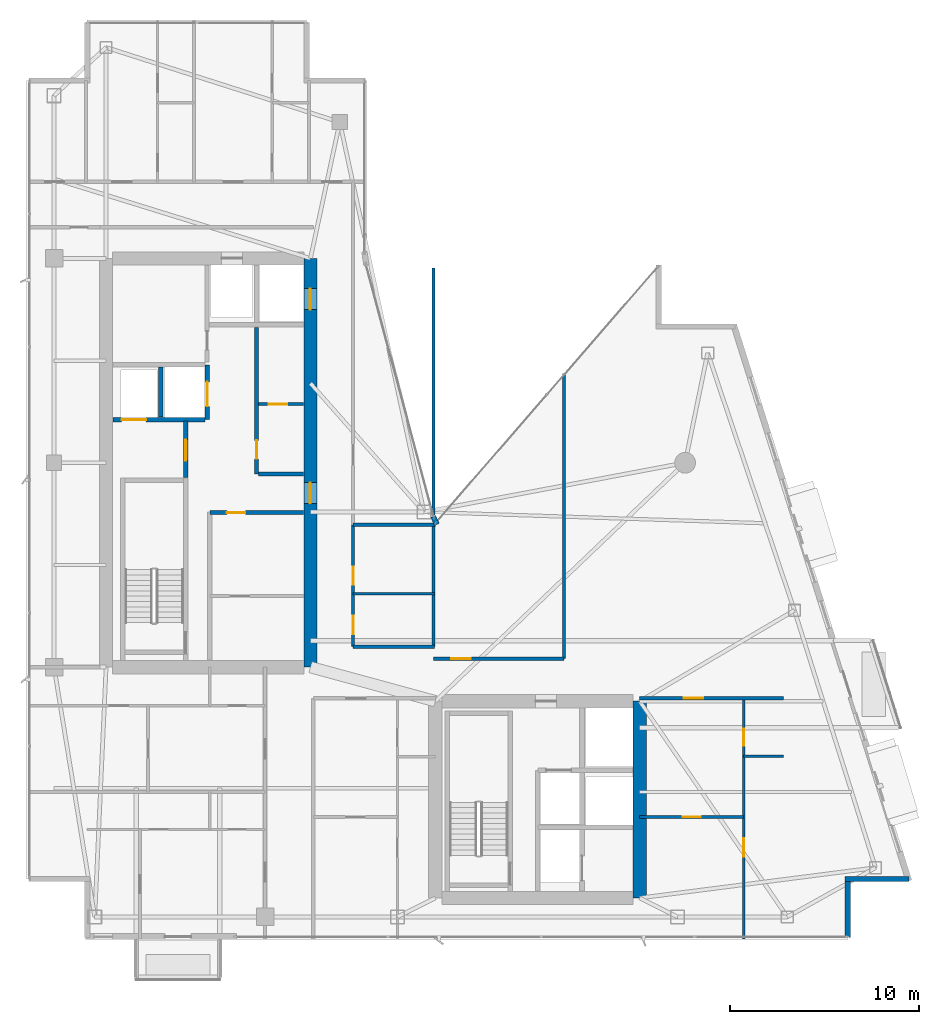
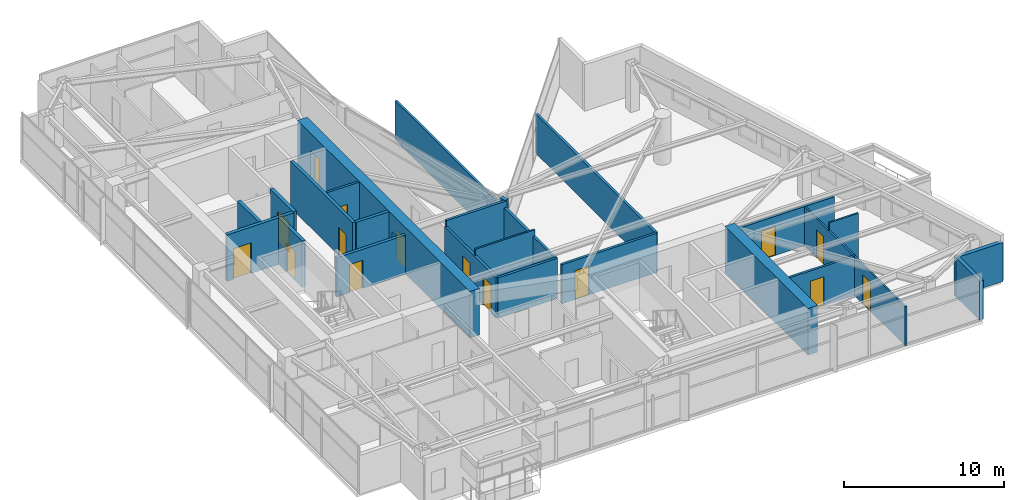
# One storey, part 25 of 29: 25 walls, 15 doors, 15 openings.
"""IFC4 building model written with IfcOpenShell, lengths in metres."""

from ifc_helpers import new_model, si_unit, direction, frame, frame_2d, origin, place, context, subcontext, project, spatial, rectangle, extrude, material, layer, layer_set, type_object, element, fill, save


model = new_model("IFC4")

# Units and contexts
model_context = context("Model", 3, precision=1e-05, world=origin(), true_north=direction((0.0, 1.0)))
body_context = subcontext(model_context, "Body", "Model", "MODEL_VIEW")
ifc_project = project(units=[si_unit("LENGTHUNIT", "METRE"), si_unit("AREAUNIT", "SQUARE_METRE"), si_unit("VOLUMEUNIT", "CUBIC_METRE"), si_unit("PLANEANGLEUNIT", "RADIAN"), si_unit("MASSUNIT", "GRAM", prefix="KILO")], contexts=[model_context])

# Site, building, storey
site_placement = place(None, origin())
site = spatial("IfcSite", under=ifc_project, at=site_placement, CompositionType="ELEMENT")
building_placement = place(site_placement, origin())
building = spatial("IfcBuilding", under=site, at=building_placement, Name="Calvorn Quay Hotel", CompositionType="ELEMENT")
storey_placement = place(building_placement, frame((0.0, 0.0, 247.60009765625)))
storey = spatial("IfcBuildingStorey", under=building, at=storey_placement, Name="L61", CompositionType="ELEMENT", Elevation=247.60009765625)

# Wall, openings, doors
ifc_material_1 = material(Name="Concrete C45", Category="concrete")
ifc_layer_1 = layer(ifc_material_1, 0.699951171875)
ifc_layer_set_1 = layer_set([ifc_layer_1], Name="WL-CORE-700")
wall_type_1 = type_object("IfcWallType", Name="WL-CORE-700", PredefinedType="SHEAR", material=ifc_layer_set_1)
wall_1_placement = place(storey_placement, frame((15.0, 16.800048828125, 0.0), z_axis=(0.0, 0.0, 1.0), x_axis=(0.0, 1.0, 0.0)))
wall_1 = element("IfcWall", 1, at=wall_1_placement, inside=storey, type_object=wall_type_1, Name="West Core Shear Wall E (L61)", PredefinedType="SHEAR", context=body_context, shape_type="SweptSolid", body=[
    extrude(rectangle(XDim=21.599853515625, YDim=0.699951171875, at=frame_2d((10.7998046875, 0.0))), origin(), (0.0, 0.0, 1.0), 3.559814453125),
])
opening_1_placement = place(wall_1_placement, frame((8.64990234375, 0.0, 0.0)))
opening_1 = element("IfcOpeningElement", 2, at=opening_1_placement, cuts=wall_1, Name="Opening D-L61-CW1", PredefinedType="OPENING", context=body_context, shape_type="SweptSolid", body=[
    extrude(rectangle(XDim=1.10009765625, YDim=2.199951171875, at=frame_2d((0.550048828125, 1.10009765625))), frame((0.0, 0.35986328125, 0.0), z_axis=(0.0, -1.0, 0.0), x_axis=(1.0, 0.0, 0.0)), (0.0, 0.0, 1.0), 0.719970703125),
])
opening_2_placement = place(wall_1_placement, frame((18.89990234375, 0.0, 0.0)))
opening_2 = element("IfcOpeningElement", 3, at=opening_2_placement, cuts=wall_1, Name="Opening LD-L61-H1", PredefinedType="OPENING", context=body_context, shape_type="SweptSolid", body=[
    extrude(rectangle(XDim=1.10009765625, YDim=2.199951171875, at=frame_2d((0.550048828125, 1.10009765625))), frame((0.0, 0.35986328125, 0.0), z_axis=(0.0, -1.0, 0.0), x_axis=(1.0, 0.0, 0.0)), (0.0, 0.0, 1.0), 0.719970703125),
])
ifc_material_2 = material(Name="Smoke-Sealed Steel Class A Fire Door", Category="steel")
door_type_1 = type_object("IfcDoorType", Name="DR-FFLOBBY-1100", OperationType="NOTDEFINED", PredefinedType="DOOR", material=ifc_material_2)
door_1_placement = place(opening_1_placement, origin())
door_1 = element("IfcDoor", 4, at=door_1_placement, inside=storey, type_object=door_type_1, Name="West Core Vestibule Fire Door (L61)", OperationType="SINGLE_SWING_RIGHT", OverallHeight=2.199951171875, OverallWidth=1.10009765625, PredefinedType="DOOR", context=body_context, shape_type="SweptSolid", body=[
    extrude(rectangle(XDim=1.10009765625, YDim=2.199951171875, at=frame_2d((0.550048828125, 1.10009765625))), frame((0.0, 0.02490234375, 0.0), z_axis=(0.0, -1.0, 0.0), x_axis=(1.0, 0.0, 0.0)), (0.0, 0.0, 1.0), 0.050048828125),
])
fill(opening_1, door_1)
ifc_material_3 = material(Name="Brushed Stainless Steel Sliding Lift Landing Door", Category="steel")
door_type_2 = type_object("IfcDoorType", Name="DR-LIFT-PASS-1100", OperationType="NOTDEFINED", PredefinedType="DOOR", material=ifc_material_3)
door_2_placement = place(opening_2_placement, origin())
door_2 = element("IfcDoor", 5, at=door_2_placement, inside=storey, type_object=door_type_2, Name="High-Rise Lift PL-H1 Landing Door (L61)", OperationType="DOUBLE_DOOR_SLIDING", OverallHeight=2.199951171875, OverallWidth=1.10009765625, PredefinedType="DOOR", context=body_context, shape_type="SweptSolid", body=[
    extrude(rectangle(XDim=1.10009765625, YDim=2.199951171875, at=frame_2d((0.550048828125, 1.10009765625))), frame((0.0, 0.02490234375, 0.0), z_axis=(0.0, -1.0, 0.0), x_axis=(1.0, 0.0, 0.0)), (0.0, 0.0, 1.0), 0.050048828125),
])
fill(opening_2, door_2)

# Walls
wall_2_placement = place(storey_placement, frame((32.39990234375, 4.60009765625, 0.0), z_axis=(0.0, 0.0, 1.0), x_axis=(0.0, 1.0, 0.0)))
element("IfcWall", 6, at=wall_2_placement, inside=storey, type_object=wall_type_1, Name="East Core Shear Wall E (L61)", PredefinedType="SHEAR", context=body_context, shape_type="SweptSolid", body=[
    extrude(rectangle(XDim=10.39990234375, YDim=0.699951171875, at=frame_2d((5.199951171875, 0.0))), origin(), (0.0, 0.0, 1.0), 3.559814453125),
])
ifc_material_4 = material(Name="Acoustic Fireboard Steel-Stud Partition", Category="steel")
ifc_layer_2 = layer(ifc_material_4, 0.179931640625)
ifc_layer_set_2 = layer_set([ifc_layer_2], Name="WL-CORR-FIRE-180")
wall_type_2 = type_object("IfcWallType", Name="WL-CORR-FIRE-180", PredefinedType="PARTITIONING", material=ifc_layer_set_2)
wall_3_placement = place(storey_placement, frame((17.25, 17.8798828125, 0.0), z_axis=(0.0, 0.0, 1.0), x_axis=(1.0, 0.0, 0.0)))
element("IfcWall", 7, at=wall_3_placement, inside=storey, type_object=wall_type_2, Name="Partition Wall L61-WL-HK-S", PredefinedType="PARTITIONING", context=body_context, shape_type="SweptSolid", body=[
    extrude(rectangle(XDim=4.300048828125, YDim=0.179931640625, at=frame_2d((2.14990234375, 0.0))), origin(), (0.0, 0.0, 1.0), 3.08984375),
])
wall_4_placement = place(storey_placement, frame((17.25, 24.320068359375, 0.0), z_axis=(0.0, 0.0, 1.0), x_axis=(1.0, 0.0, 0.0)))
element("IfcWall", 8, at=wall_4_placement, inside=storey, type_object=wall_type_2, Name="Partition Wall L61-WL-HK-N", PredefinedType="PARTITIONING", context=body_context, shape_type="SweptSolid", body=[
    extrude(rectangle(XDim=4.35009765625, YDim=0.179931640625, at=frame_2d((2.175048828125, 0.0))), origin(), (0.0, 0.0, 1.0), 3.559814453125),
])
wall_5_placement = place(storey_placement, frame((21.5, 17.8798828125, 0.0), z_axis=(0.0, 0.0, 1.0), x_axis=(0.0, 1.0, 0.0)))
element("IfcWall", 9, at=wall_5_placement, inside=storey, type_object=wall_type_2, Name="Partition Wall L61-WL-HK-E", PredefinedType="PARTITIONING", context=body_context, shape_type="SweptSolid", body=[
    extrude(rectangle(XDim=6.440185546875, YDim=0.179931640625, at=frame_2d((3.22021484375, 0.0))), origin(), (0.0, 0.0, 1.0), 3.08984375),
])

# Wall, openings, doors
wall_6_placement = place(storey_placement, frame((17.25, 17.8798828125, 0.0), z_axis=(0.0, 0.0, 1.0), x_axis=(0.0, 1.0, 0.0)))
wall_6 = element("IfcWall", 10, at=wall_6_placement, inside=storey, type_object=wall_type_2, Name="Partition Wall L61-WL-HK-W", PredefinedType="PARTITIONING", context=body_context, shape_type="SweptSolid", body=[
    extrude(rectangle(XDim=6.440185546875, YDim=0.179931640625, at=frame_2d((3.22021484375, 0.0))), origin(), (0.0, 0.0, 1.0), 3.08984375),
])
opening_3_placement = place(wall_6_placement, frame((0.64990234375, 0.0, 0.0)))
opening_3 = element("IfcOpeningElement", 11, at=opening_3_placement, cuts=wall_6, Name="Opening D-L61-HK", PredefinedType="OPENING", context=body_context, shape_type="SweptSolid", body=[
    extrude(rectangle(XDim=0.97998046875, YDim=2.14990234375, at=frame_2d((0.489990234375, 1.074951171875))), frame((0.0, 0.099853515625, 0.0), z_axis=(0.0, -1.0, 0.0), x_axis=(1.0, 0.0, 0.0)), (0.0, 0.0, 1.0), 0.199951171875),
])
opening_4_placement = place(wall_6_placement, frame((3.27001953125, 0.0, 0.0)))
opening_4 = element("IfcOpeningElement", 12, at=opening_4_placement, cuts=wall_6, Name="Opening D-L61-NCP", PredefinedType="OPENING", context=body_context, shape_type="SweptSolid", body=[
    extrude(rectangle(XDim=0.9599609375, YDim=2.199951171875, at=frame_2d((0.47998046875, 1.10009765625))), frame((0.0, 0.099853515625, 0.0), z_axis=(0.0, -1.0, 0.0), x_axis=(1.0, 0.0, 0.0)), (0.0, 0.0, 1.0), 0.199951171875),
])
ifc_material_5 = material(Name="Painted Steel Housekeeping/Riser Fire Door", Category="steel")
door_type_3 = type_object("IfcDoorType", Name="DR-SERVICE-980", OperationType="NOTDEFINED", PredefinedType="DOOR", material=ifc_material_5)
door_3_placement = place(opening_3_placement, origin())
door_3 = element("IfcDoor", 13, at=door_3_placement, inside=storey, type_object=door_type_3, Name="Floor Housekeeping Door (L61)", OperationType="SINGLE_SWING_LEFT", OverallHeight=2.14990234375, OverallWidth=0.97998046875, PredefinedType="DOOR", context=body_context, shape_type="SweptSolid", body=[
    extrude(rectangle(XDim=0.97998046875, YDim=2.14990234375, at=frame_2d((0.489990234375, 1.074951171875))), frame((0.0, 0.02490234375, 0.0), z_axis=(0.0, -1.0, 0.0), x_axis=(1.0, 0.0, 0.0)), (0.0, 0.0, 1.0), 0.050048828125),
])
fill(opening_3, door_3)
ifc_material_6 = material(Name="Solid Timber Internal Suite Door", Category="wood")
door_type_4 = type_object("IfcDoorType", Name="DR-SUITE-INT-960", OperationType="NOTDEFINED", PredefinedType="DOOR", material=ifc_material_6)
door_4_placement = place(opening_4_placement, origin())
door_4 = element("IfcDoor", 14, at=door_4_placement, inside=storey, type_object=door_type_4, Name="Reading Alcove Door (L61)", OperationType="SINGLE_SWING_RIGHT", OverallHeight=2.199951171875, OverallWidth=0.9599609375, PredefinedType="DOOR", context=body_context, shape_type="SweptSolid", body=[
    extrude(rectangle(XDim=0.9599609375, YDim=2.199951171875, at=frame_2d((0.47998046875, 1.10009765625))), frame((0.0, 0.02490234375, 0.0), z_axis=(0.0, -1.0, 0.0), x_axis=(1.0, 0.0, 0.0)), (0.0, 0.0, 1.0), 0.050048828125),
])
fill(opening_4, door_4)

# Wall, opening, door
wall_7_placement = place(storey_placement, frame((32.39990234375, 15.14990234375, 0.0), z_axis=(0.0, 0.0, 1.0), x_axis=(1.0, 0.0, 0.0)))
wall_7 = element("IfcWall", 15, at=wall_7_placement, inside=storey, type_object=wall_type_2, Name="Partition Wall L61-WL-CORR-SE-S", PredefinedType="PARTITIONING", context=body_context, shape_type="SweptSolid", body=[
    extrude(rectangle(XDim=7.60009765625, YDim=0.179931640625, at=frame_2d((3.800048828125, 0.0))), origin(), (0.0, 0.0, 1.0), 2.989990234375),
])
opening_5_placement = place(wall_7_placement, frame((2.330078125, 0.0, 0.0)))
opening_5 = element("IfcOpeningElement", 16, at=opening_5_placement, cuts=wall_7, Name="Opening D-L61-U06", PredefinedType="OPENING", context=body_context, shape_type="SweptSolid", body=[
    extrude(rectangle(XDim=1.02001953125, YDim=2.199951171875, at=frame_2d((0.510009765625, 1.10009765625))), frame((0.0, 0.099853515625, 0.0), z_axis=(0.0, -1.0, 0.0), x_axis=(1.0, 0.0, 0.0)), (0.0, 0.0, 1.0), 0.199951171875),
])
ifc_material_7 = material(Name="Solid-Core Walnut Veneer Hotel Fire Door")
door_type_5 = type_object("IfcDoorType", Name="DR-GUEST-ENTRY-1020", OperationType="NOTDEFINED", PredefinedType="DOOR", material=ifc_material_7)
door_5_placement = place(opening_5_placement, origin())
door_5 = element("IfcDoor", 17, at=door_5_placement, inside=storey, type_object=door_type_5, Name="South-East Unit Door U06 (L61)", OperationType="SINGLE_SWING_LEFT", OverallHeight=2.199951171875, OverallWidth=1.02001953125, PredefinedType="DOOR", context=body_context, shape_type="SweptSolid", body=[
    extrude(rectangle(XDim=1.02001953125, YDim=2.199951171875, at=frame_2d((0.510009765625, 1.10009765625))), frame((0.0, 0.02490234375, 0.0), z_axis=(0.0, -1.0, 0.0), x_axis=(1.0, 0.0, 0.0)), (0.0, 0.0, 1.0), 0.050048828125),
])
fill(opening_5, door_5)

wall_8_placement = place(storey_placement, frame((21.5, 17.25, 0.0), z_axis=(0.0, 0.0, 1.0), x_axis=(1.0, 0.0, 0.0)))
wall_8 = element("IfcWall", 18, at=wall_8_placement, inside=storey, type_object=wall_type_2, Name="Partition Wall L61-WL-CORR-NE-N", PredefinedType="PARTITIONING", context=body_context, shape_type="SweptSolid", body=[
    extrude(rectangle(XDim=6.89990234375, YDim=0.179931640625, at=frame_2d((3.449951171875, 0.0))), origin(), (0.0, 0.0, 1.0), 2.989990234375),
])
opening_6_placement = place(wall_8_placement, frame((0.949951171875, 0.0, 0.0)))
opening_6 = element("IfcOpeningElement", 19, at=opening_6_placement, cuts=wall_8, Name="Opening D-L61-NS1", PredefinedType="OPENING", context=body_context, shape_type="SweptSolid", body=[
    extrude(rectangle(XDim=1.02001953125, YDim=2.199951171875, at=frame_2d((0.510009765625, 1.10009765625))), frame((0.0, 0.099853515625, 0.0), z_axis=(0.0, -1.0, 0.0), x_axis=(1.0, 0.0, 0.0)), (0.0, 0.0, 1.0), 0.199951171875),
])
door_6_placement = place(opening_6_placement, origin())
door_6 = element("IfcDoor", 20, at=door_6_placement, inside=storey, type_object=door_type_5, Name="Conservatory Salon Door 1 (L61)", OperationType="SINGLE_SWING_RIGHT", OverallHeight=2.199951171875, OverallWidth=1.02001953125, PredefinedType="DOOR", context=body_context, shape_type="SweptSolid", body=[
    extrude(rectangle(XDim=1.02001953125, YDim=2.199951171875, at=frame_2d((0.510009765625, 1.10009765625))), frame((0.0, 0.02490234375, 0.0), z_axis=(0.0, -1.0, 0.0), x_axis=(1.0, 0.0, 0.0)), (0.0, 0.0, 1.0), 0.050048828125),
])
fill(opening_6, door_6)

# Walls
wall_9_placement = place(storey_placement, frame((28.39990234375, 17.25, 0.0), z_axis=(0.0, 0.0, 1.0), x_axis=(0.0, 1.0, 0.0)))
element("IfcWall", 21, at=wall_9_placement, inside=storey, type_object=wall_type_2, Name="Partition Wall L61-WL-NE-END-E", PredefinedType="PARTITIONING", context=body_context, shape_type="SweptSolid", body=[
    extrude(rectangle(XDim=15.070068359375, YDim=0.179931640625, at=frame_2d((7.53515625, 0.0))), origin(), (0.0, 0.0, 1.0), 2.989990234375),
])
ifc_material_8 = material(Name="Moisture-Resistant Tile-Backed Partition")
ifc_layer_3 = layer(ifc_material_8, 0.125)
ifc_layer_set_3 = layer_set([ifc_layer_3], Name="WL-ENSUITE-125")
wall_type_3 = type_object("IfcWallType", Name="WL-ENSUITE-125", PredefinedType="PARTITIONING", material=ifc_layer_set_3)
wall_10_placement = place(storey_placement, frame((17.25, 20.679931640625, 0.0), z_axis=(0.0, 0.0, 1.0), x_axis=(1.0, 0.0, 0.0)))
element("IfcWall", 22, at=wall_10_placement, inside=storey, type_object=wall_type_3, Name="Partition Wall L61-WL-HK-M", PredefinedType="PARTITIONING", context=body_context, shape_type="SweptSolid", body=[
    extrude(rectangle(XDim=4.300048828125, YDim=0.125, at=frame_2d((2.14990234375, 0.0))), origin(), (0.0, 0.0, 1.0), 3.559814453125),
])
wall_11_placement = place(storey_placement, frame((37.889892578125, 12.10009765625, 0.0), z_axis=(0.0, 0.0, 1.0), x_axis=(1.0, 0.0, 0.0)))
element("IfcWall", 23, at=wall_11_placement, inside=storey, type_object=wall_type_3, Name="Partition Wall L61-WL-U06-BDV", PredefinedType="PARTITIONING", context=body_context, shape_type="SweptSolid", body=[
    extrude(rectangle(XDim=2.110107421875, YDim=0.125, at=frame_2d((1.05517578125, 0.0))), origin(), (0.0, 0.0, 1.0), 3.559814453125),
])

# Wall, openings, doors
wall_12_placement = place(storey_placement, frame((37.889892578125, 2.43994140625, 0.0), z_axis=(0.0, 0.0, 1.0), x_axis=(0.0, 1.0, 0.0)))
wall_12 = element("IfcWall", 24, at=wall_12_placement, inside=storey, type_object=wall_type_3, Name="Partition Wall L61-WL-U06-BV", PredefinedType="PARTITIONING", context=body_context, shape_type="SweptSolid", body=[
    extrude(rectangle(XDim=12.7099609375, YDim=0.125, at=frame_2d((6.35498046875, 0.0))), origin(), (0.0, 0.0, 1.0), 2.989990234375),
])
opening_7_placement = place(wall_12_placement, frame((4.35009765625, 0.0, 0.0)))
opening_7 = element("IfcOpeningElement", 25, at=opening_7_placement, cuts=wall_12, Name="Opening D-L61-S06", PredefinedType="OPENING", context=body_context, shape_type="SweptSolid", body=[
    extrude(rectangle(XDim=0.9599609375, YDim=2.199951171875, at=frame_2d((0.47998046875, 1.10009765625))), frame((0.0, 0.072509765625, 0.0), z_axis=(0.0, -1.0, 0.0), x_axis=(1.0, 0.0, 0.0)), (0.0, 0.0, 1.0), 0.14501953125),
])
opening_8_placement = place(wall_12_placement, frame((10.2099609375, 0.0, 0.0)))
opening_8 = element("IfcOpeningElement", 26, at=opening_8_placement, cuts=wall_12, Name="Opening D-L61-E06", PredefinedType="OPENING", context=body_context, shape_type="SweptSolid", body=[
    extrude(rectangle(XDim=0.89990234375, YDim=2.14990234375, at=frame_2d((0.449951171875, 1.074951171875))), frame((0.0, 0.072509765625, 0.0), z_axis=(0.0, -1.0, 0.0), x_axis=(1.0, 0.0, 0.0)), (0.0, 0.0, 1.0), 0.14501953125),
])
ifc_material_9 = material(Name="Moisture-Sealed Timber En-Suite Door", Category="wood")
door_type_6 = type_object("IfcDoorType", Name="DR-ENSUITE-900", OperationType="NOTDEFINED", PredefinedType="DOOR", material=ifc_material_9)
door_7_placement = place(opening_8_placement, origin())
door_7 = element("IfcDoor", 27, at=door_7_placement, inside=storey, type_object=door_type_6, Name="En-Suite Door 06", OperationType="SINGLE_SWING_RIGHT", OverallHeight=2.14990234375, OverallWidth=0.89990234375, PredefinedType="DOOR", context=body_context, shape_type="SweptSolid", body=[
    extrude(rectangle(XDim=0.89990234375, YDim=2.14990234375, at=frame_2d((0.449951171875, 1.074951171875))), frame((0.0, 0.02490234375, 0.0), z_axis=(0.0, -1.0, 0.0), x_axis=(1.0, 0.0, 0.0)), (0.0, 0.0, 1.0), 0.050048828125),
])
fill(opening_8, door_7)
door_8_placement = place(opening_7_placement, origin())
door_8 = element("IfcDoor", 28, at=door_8_placement, inside=storey, type_object=door_type_4, Name="Curated Resort Boutique Door 06", OperationType="SINGLE_SWING_LEFT", OverallHeight=2.199951171875, OverallWidth=0.9599609375, PredefinedType="DOOR", context=body_context, shape_type="SweptSolid", body=[
    extrude(rectangle(XDim=0.9599609375, YDim=2.199951171875, at=frame_2d((0.47998046875, 1.10009765625))), frame((0.0, 0.02490234375, 0.0), z_axis=(0.0, -1.0, 0.0), x_axis=(1.0, 0.0, 0.0)), (0.0, 0.0, 1.0), 0.050048828125),
])
fill(opening_7, door_8)

# Walls
ifc_material_10 = material(Name="Concrete C40", Category="concrete")
ifc_layer_4 = layer(ifc_material_10, 0.320068359375)
ifc_layer_set_4 = layer_set([ifc_layer_4], Name="WL-EXT-SPANDREL-320")
wall_type_4 = type_object("IfcWallType", Name="WL-EXT-SPANDREL-320", PredefinedType="SOLIDWALL", material=ifc_layer_set_4)
wall_13_placement = place(storey_placement, frame((21.679931640625, 24.340087890625, 0.0), z_axis=(0.0, 0.0, 1.0), x_axis=(-0.40758134973, 0.913168901875, 0.0)))
element("IfcWall", 29, at=wall_13_placement, inside=storey, type_object=wall_type_4, Name="Inner Court Corner Pier L61-ICJ1", PredefinedType="SOLIDWALL", context=body_context, shape_type="SweptSolid", body=[
    extrude(rectangle(XDim=0.470703125, YDim=0.280029296875, at=frame_2d((0.2353515625, 0.0))), origin(), (0.0, 0.0, 1.0), 3.559814453125),
])
wall_14_placement = place(storey_placement, frame((43.39990234375, 2.52001953125, 0.0), z_axis=(0.0, 0.0, 1.0), x_axis=(0.0, 1.0, 0.0)))
element("IfcWall", 30, at=wall_14_placement, inside=storey, type_object=wall_type_4, Name="Notched Corner Spandrel L61-SE1", PredefinedType="SOLIDWALL", context=body_context, shape_type="SweptSolid", body=[
    extrude(rectangle(XDim=2.93994140625, YDim=0.280029296875, at=frame_2d((1.469970703125, 0.0))), origin(), (0.0, 0.0, 1.0), 2.989990234375),
])
wall_15_placement = place(storey_placement, frame((43.260009765625, 5.60009765625, 0.0), z_axis=(0.0, 0.0, 1.0), x_axis=(1.0, 0.0, 0.0)))
element("IfcWall", 31, at=wall_15_placement, inside=storey, type_object=wall_type_4, Name="Notched Corner Spandrel L61-SE2", PredefinedType="SOLIDWALL", context=body_context, shape_type="SweptSolid", body=[
    extrude(rectangle(XDim=3.3798828125, YDim=0.280029296875, at=frame_2d((1.68994140625, 0.0))), origin(), (0.0, 0.0, 1.0), 2.989990234375),
])

# Wall, opening, door
ifc_material_11 = material(Name="Double-Stud Acoustic Gypsum Partition")
ifc_layer_5 = layer(ifc_material_11, 0.159912109375)
ifc_layer_set_5 = layer_set([ifc_layer_5], Name="WL-INTERSUITE-160")
wall_type_5 = type_object("IfcWallType", Name="WL-INTERSUITE-160", PredefinedType="PARTITIONING", material=ifc_layer_set_5)
wall_16_placement = place(storey_placement, frame((12.25, 30.699951171875, 0.0), z_axis=(0.0, 0.0, 1.0), x_axis=(1.0, 0.0, 0.0)))
wall_16 = element("IfcWall", 32, at=wall_16_placement, inside=storey, type_object=wall_type_5, Name="Partition Wall L61-WL-CWW-FM-SPLIT", PredefinedType="PARTITIONING", context=body_context, shape_type="SweptSolid", body=[
    extrude(rectangle(XDim=2.3798828125, YDim=0.159912109375, at=frame_2d((1.18994140625, 0.0))), origin(), (0.0, 0.0, 1.0), 3.559814453125),
])
opening_9_placement = place(wall_16_placement, frame((0.550048828125, 0.0, 0.0)))
opening_9 = element("IfcOpeningElement", 33, at=opening_9_placement, cuts=wall_16, Name="Opening D-L61-FM2", PredefinedType="OPENING", context=body_context, shape_type="SweptSolid", body=[
    extrude(rectangle(XDim=0.97998046875, YDim=2.14990234375, at=frame_2d((0.489990234375, 1.074951171875))), frame((0.0, 0.08984375, 0.0), z_axis=(0.0, -1.0, 0.0), x_axis=(1.0, 0.0, 0.0)), (0.0, 0.0, 1.0), 0.179931640625),
])
door_9_placement = place(opening_9_placement, origin())
door_9 = element("IfcDoor", 34, at=door_9_placement, inside=storey, type_object=door_type_3, Name="Comms Room Door (L61)", OperationType="SINGLE_SWING_LEFT", OverallHeight=2.14990234375, OverallWidth=0.97998046875, PredefinedType="DOOR", context=body_context, shape_type="SweptSolid", body=[
    extrude(rectangle(XDim=0.97998046875, YDim=2.14990234375, at=frame_2d((0.489990234375, 1.074951171875))), frame((0.0, 0.02490234375, 0.0), z_axis=(0.0, -1.0, 0.0), x_axis=(1.0, 0.0, 0.0)), (0.0, 0.0, 1.0), 0.050048828125),
])
fill(opening_9, door_9)

wall_17_placement = place(storey_placement, frame((32.39990234375, 8.8798828125, 0.0), z_axis=(0.0, 0.0, 1.0), x_axis=(1.0, 0.0, 0.0)))
wall_17 = element("IfcWall", 35, at=wall_17_placement, inside=storey, type_object=wall_type_5, Name="Partition Wall L61-WL-U06-MSP", PredefinedType="PARTITIONING", context=body_context, shape_type="SweptSolid", body=[
    extrude(rectangle(XDim=5.489990234375, YDim=0.159912109375, at=frame_2d((2.7451171875, 0.0))), origin(), (0.0, 0.0, 1.0), 2.989990234375),
])
opening_10_placement = place(wall_17_placement, frame((2.27001953125, 0.0, 0.0)))
opening_10 = element("IfcOpeningElement", 36, at=opening_10_placement, cuts=wall_17, Name="Opening D-L61-M06", PredefinedType="OPENING", context=body_context, shape_type="SweptSolid", body=[
    extrude(rectangle(XDim=0.9599609375, YDim=2.199951171875, at=frame_2d((0.47998046875, 1.10009765625))), frame((0.0, 0.08984375, 0.0), z_axis=(0.0, -1.0, 0.0), x_axis=(1.0, 0.0, 0.0)), (0.0, 0.0, 1.0), 0.179931640625),
])
door_10_placement = place(opening_10_placement, origin())
door_10 = element("IfcDoor", 37, at=door_10_placement, inside=storey, type_object=door_type_4, Name="Suite Bedroom Door 06", OperationType="SINGLE_SWING_LEFT", OverallHeight=2.199951171875, OverallWidth=0.9599609375, PredefinedType="DOOR", context=body_context, shape_type="SweptSolid", body=[
    extrude(rectangle(XDim=0.9599609375, YDim=2.199951171875, at=frame_2d((0.47998046875, 1.10009765625))), frame((0.0, 0.02490234375, 0.0), z_axis=(0.0, -1.0, 0.0), x_axis=(1.0, 0.0, 0.0)), (0.0, 0.0, 1.0), 0.050048828125),
])
fill(opening_10, door_10)

# Wall
wall_18_placement = place(storey_placement, frame((21.5, 24.85009765625, 0.0), z_axis=(0.0, 0.0, 1.0), x_axis=(0.0, 1.0, 0.0)))
element("IfcWall", 38, at=wall_18_placement, inside=storey, type_object=wall_type_5, Name="Partition Wall L61-WL-NC-UPPER-E", PredefinedType="PARTITIONING", context=body_context, shape_type="SweptSolid", body=[
    extrude(rectangle(XDim=13.0498046875, YDim=0.159912109375, at=frame_2d((6.52490234375, 0.0))), origin(), (0.0, 0.0, 1.0), 2.989990234375),
])

# Wall, opening, door
ifc_material_12 = material(Name="Autoclaved Aerated Masonry Block", Category="masonry")
ifc_layer_6 = layer(ifc_material_12, 0.219970703125)
ifc_layer_set_6 = layer_set([ifc_layer_6], Name="WL-LOBBY-FIRE-220")
wall_type_6 = type_object("IfcWallType", Name="WL-LOBBY-FIRE-220", PredefinedType="SOLIDWALL", material=ifc_layer_set_6)
wall_19_placement = place(storey_placement, frame((9.679931640625, 24.969970703125, 0.0), z_axis=(0.0, 0.0, 1.0), x_axis=(1.0, 0.0, 0.0)))
wall_19 = element("IfcWall", 39, at=wall_19_placement, inside=storey, type_object=wall_type_6, Name="Partition Wall L61-WL-CWW-FR-N", PredefinedType="SOLIDWALL", context=body_context, shape_type="SweptSolid", body=[
    extrude(rectangle(XDim=4.949951171875, YDim=0.219970703125, at=frame_2d((2.47509765625, 0.0))), origin(), (0.0, 0.0, 1.0), 2.989990234375),
])
opening_11_placement = place(wall_19_placement, frame((0.89990234375, 0.0, 0.0)))
opening_11 = element("IfcOpeningElement", 40, at=opening_11_placement, cuts=wall_19, Name="Opening D-L61-FRL2", PredefinedType="OPENING", context=body_context, shape_type="SweptSolid", body=[
    extrude(rectangle(XDim=0.97998046875, YDim=2.14990234375, at=frame_2d((0.489990234375, 1.074951171875))), frame((0.0, 0.119873046875, 0.0), z_axis=(0.0, -1.0, 0.0), x_axis=(1.0, 0.0, 0.0)), (0.0, 0.0, 1.0), 0.239990234375),
])
door_11_placement = place(opening_11_placement, origin())
door_11 = element("IfcDoor", 41, at=door_11_placement, inside=storey, type_object=door_type_3, Name="Beverage Pantry Door (L61)", OperationType="SINGLE_SWING_RIGHT", OverallHeight=2.14990234375, OverallWidth=0.97998046875, PredefinedType="DOOR", context=body_context, shape_type="SweptSolid", body=[
    extrude(rectangle(XDim=0.97998046875, YDim=2.14990234375, at=frame_2d((0.489990234375, 1.074951171875))), frame((0.0, 0.02490234375, 0.0), z_axis=(0.0, -1.0, 0.0), x_axis=(1.0, 0.0, 0.0)), (0.0, 0.0, 1.0), 0.050048828125),
])
fill(opening_11, door_11)

# Wall
wall_20_placement = place(storey_placement, frame((12.25, 27.0, 0.0), z_axis=(0.0, 0.0, 1.0), x_axis=(1.0, 0.0, 0.0)))
element("IfcWall", 42, at=wall_20_placement, inside=storey, type_object=wall_type_6, Name="Partition Wall L61-WL-CWW-FM-S", PredefinedType="SOLIDWALL", context=body_context, shape_type="SweptSolid", body=[
    extrude(rectangle(XDim=2.3798828125, YDim=0.219970703125, at=frame_2d((1.18994140625, 0.0))), origin(), (0.0, 0.0, 1.0), 3.559814453125),
])

# Wall, opening, door
wall_21_placement = place(storey_placement, frame((12.14990234375, 27.0, 0.0), z_axis=(0.0, 0.0, 1.0), x_axis=(0.0, 1.0, 0.0)))
wall_21 = element("IfcWall", 43, at=wall_21_placement, inside=storey, type_object=wall_type_6, Name="Partition Wall L61-WL-CWW-FM-W", PredefinedType="SOLIDWALL", context=body_context, shape_type="SweptSolid", body=[
    extrude(rectangle(XDim=7.75, YDim=0.219970703125, at=frame_2d((3.875, 0.0))), origin(), (0.0, 0.0, 1.0), 3.559814453125),
])
opening_12_placement = place(wall_21_placement, frame((0.800048828125, 0.0, 0.0)))
opening_12 = element("IfcOpeningElement", 44, at=opening_12_placement, cuts=wall_21, Name="Opening D-L61-FM1", PredefinedType="OPENING", context=body_context, shape_type="SweptSolid", body=[
    extrude(rectangle(XDim=0.97998046875, YDim=2.14990234375, at=frame_2d((0.489990234375, 1.074951171875))), frame((0.0, 0.119873046875, 0.0), z_axis=(0.0, -1.0, 0.0), x_axis=(1.0, 0.0, 0.0)), (0.0, 0.0, 1.0), 0.239990234375),
])
door_12_placement = place(opening_12_placement, origin())
door_12 = element("IfcDoor", 45, at=door_12_placement, inside=storey, type_object=door_type_3, Name="Butler Pantry Door (L61)", OperationType="SINGLE_SWING_RIGHT", OverallHeight=2.14990234375, OverallWidth=0.97998046875, PredefinedType="DOOR", context=body_context, shape_type="SweptSolid", body=[
    extrude(rectangle(XDim=0.97998046875, YDim=2.14990234375, at=frame_2d((0.489990234375, 1.074951171875))), frame((0.0, 0.02490234375, 0.0), z_axis=(0.0, -1.0, 0.0), x_axis=(1.0, 0.0, 0.0)), (0.0, 0.0, 1.0), 0.050048828125),
])
fill(opening_12, door_12)

ifc_material_13 = material(Name="Concrete C40", Category="concrete")
ifc_layer_7 = layer(ifc_material_13, 0.239990234375)
ifc_layer_set_7 = layer_set([ifc_layer_7], Name="WL-SHAFT-240")
wall_type_7 = type_object("IfcWallType", Name="WL-SHAFT-240", PredefinedType="SOLIDWALL", material=ifc_layer_set_7)
wall_22_placement = place(storey_placement, frame((8.419921875, 26.820068359375, 0.0), z_axis=(0.0, 0.0, 1.0), x_axis=(0.0, 1.0, 0.0)))
wall_22 = element("IfcWall", 46, at=wall_22_placement, inside=storey, type_object=wall_type_7, Name="Partition Wall L61-WL-CWW-FFL-E", PredefinedType="SOLIDWALL", context=body_context, shape_type="SweptSolid", body=[
    extrude(rectangle(XDim=3.0, YDim=0.239990234375, at=frame_2d((1.5, 0.0))), origin(), (0.0, 0.0, 1.0), 3.559814453125),
])
opening_13_placement = place(wall_22_placement, frame((0.89990234375, 0.0, 0.0)))
opening_13 = element("IfcOpeningElement", 47, at=opening_13_placement, cuts=wall_22, Name="Opening D-L61-FLW", PredefinedType="OPENING", context=body_context, shape_type="SweptSolid", body=[
    extrude(rectangle(XDim=1.10009765625, YDim=2.199951171875, at=frame_2d((0.550048828125, 1.10009765625))), frame((0.0, 0.1298828125, 0.0), z_axis=(0.0, -1.0, 0.0), x_axis=(1.0, 0.0, 0.0)), (0.0, 0.0, 1.0), 0.260009765625),
])
door_13_placement = place(opening_13_placement, origin())
door_13 = element("IfcDoor", 48, at=door_13_placement, inside=storey, type_object=door_type_1, Name="West Firefighting Lobby Fire Door (L61)", OperationType="SINGLE_SWING_RIGHT", OverallHeight=2.199951171875, OverallWidth=1.10009765625, PredefinedType="DOOR", context=body_context, shape_type="SweptSolid", body=[
    extrude(rectangle(XDim=1.10009765625, YDim=2.199951171875, at=frame_2d((0.550048828125, 1.10009765625))), frame((0.0, 0.02490234375, 0.0), z_axis=(0.0, -1.0, 0.0), x_axis=(1.0, 0.0, 0.0)), (0.0, 0.0, 1.0), 0.050048828125),
])
fill(opening_13, door_13)

wall_23_placement = place(storey_placement, frame((4.570068359375, 29.8798828125, 0.0), z_axis=(0.0, 0.0, 1.0), x_axis=(1.0, 0.0, 0.0)))
wall_23 = element("IfcWall", 49, at=wall_23_placement, inside=storey, type_object=wall_type_7, Name="Partition Wall L61-WL-CWW-FLW-S", PredefinedType="SOLIDWALL", context=body_context, shape_type="SweptSolid", body=[
    extrude(rectangle(XDim=4.849853515625, YDim=0.239990234375, at=frame_2d((2.4248046875, 0.0))), origin(), (0.0, 0.0, 1.0), 3.559814453125),
])
opening_14_placement = place(wall_23_placement, frame((0.449951171875, 0.0, 0.0)))
opening_14 = element("IfcOpeningElement", 50, at=opening_14_placement, cuts=wall_23, Name="Opening LD-L61-FLW1", PredefinedType="OPENING", context=body_context, shape_type="SweptSolid", body=[
    extrude(rectangle(XDim=1.300048828125, YDim=2.35009765625, at=frame_2d((0.64990234375, 1.175048828125))), frame((0.0, 0.1298828125, 0.0), z_axis=(0.0, -1.0, 0.0), x_axis=(1.0, 0.0, 0.0)), (0.0, 0.0, 1.0), 0.260009765625),
])
ifc_material_14 = material(Name="Champagne-Bronze Sliding Express Lift Landing Door")
door_type_7 = type_object("IfcDoorType", Name="DR-LIFT-SHUTTLE-1300", OperationType="NOTDEFINED", PredefinedType="DOOR", material=ifc_material_14)
door_14_placement = place(opening_14_placement, origin())
door_14 = element("IfcDoor", 51, at=door_14_placement, inside=storey, type_object=door_type_7, Name="Firefighting Lift FL-W1 Landing Door (L61)", OperationType="DOUBLE_DOOR_SLIDING", OverallHeight=2.35009765625, OverallWidth=1.300048828125, PredefinedType="DOOR", context=body_context, shape_type="SweptSolid", body=[
    extrude(rectangle(XDim=1.300048828125, YDim=2.35009765625, at=frame_2d((0.64990234375, 1.175048828125))), frame((0.0, 0.02490234375, 0.0), z_axis=(0.0, -1.0, 0.0), x_axis=(1.0, 0.0, 0.0)), (0.0, 0.0, 1.0), 0.050048828125),
])
fill(opening_14, door_14)

# Wall
wall_24_placement = place(storey_placement, frame((7.10009765625, 30.02001953125, 0.0), z_axis=(0.0, 0.0, 1.0), x_axis=(0.0, 1.0, 0.0)))
element("IfcWall", 52, at=wall_24_placement, inside=storey, type_object=wall_type_7, Name="Partition Wall L61-WL-CWW-FLW-DIV", PredefinedType="SOLIDWALL", context=body_context, shape_type="SweptSolid", body=[
    extrude(rectangle(XDim=2.6298828125, YDim=0.239990234375, at=frame_2d((1.31494140625, 0.0))), origin(), (0.0, 0.0, 1.0), 3.559814453125),
])

# Wall, opening, door
wall_25_placement = place(storey_placement, frame((9.5400390625, 29.8798828125, 0.0), z_axis=(0.0, 0.0, 1.0), x_axis=(0.0, 1.0, 0.0)))
wall_25 = element("IfcWall", 53, at=wall_25_placement, inside=storey, type_object=wall_type_7, Name="Partition Wall L61-WL-CWW-SLW-E", PredefinedType="SOLIDWALL", context=body_context, shape_type="SweptSolid", body=[
    extrude(rectangle(XDim=2.900146484375, YDim=0.239990234375, at=frame_2d((1.4501953125, 0.0))), origin(), (0.0, 0.0, 1.0), 3.559814453125),
])
opening_15_placement = place(wall_25_placement, frame((0.699951171875, 0.0, 0.0)))
opening_15 = element("IfcOpeningElement", 54, at=opening_15_placement, cuts=wall_25, Name="Opening LD-L61-SLW1", PredefinedType="OPENING", context=body_context, shape_type="SweptSolid", body=[
    extrude(rectangle(XDim=1.300048828125, YDim=2.35009765625, at=frame_2d((0.64990234375, 1.175048828125))), frame((0.0, 0.1298828125, 0.0), z_axis=(0.0, -1.0, 0.0), x_axis=(1.0, 0.0, 0.0)), (0.0, 0.0, 1.0), 0.260009765625),
])
door_15_placement = place(opening_15_placement, origin())
door_15 = element("IfcDoor", 55, at=door_15_placement, inside=storey, type_object=door_type_7, Name="Service Lift SL-W1 Landing Door (L61)", OperationType="DOUBLE_DOOR_SLIDING", OverallHeight=2.35009765625, OverallWidth=1.300048828125, PredefinedType="DOOR", context=body_context, shape_type="SweptSolid", body=[
    extrude(rectangle(XDim=1.300048828125, YDim=2.35009765625, at=frame_2d((0.64990234375, 1.175048828125))), frame((0.0, 0.02490234375, 0.0), z_axis=(0.0, -1.0, 0.0), x_axis=(1.0, 0.0, 0.0)), (0.0, 0.0, 1.0), 0.050048828125),
])
fill(opening_15, door_15)

save(model, "model.ifc")
